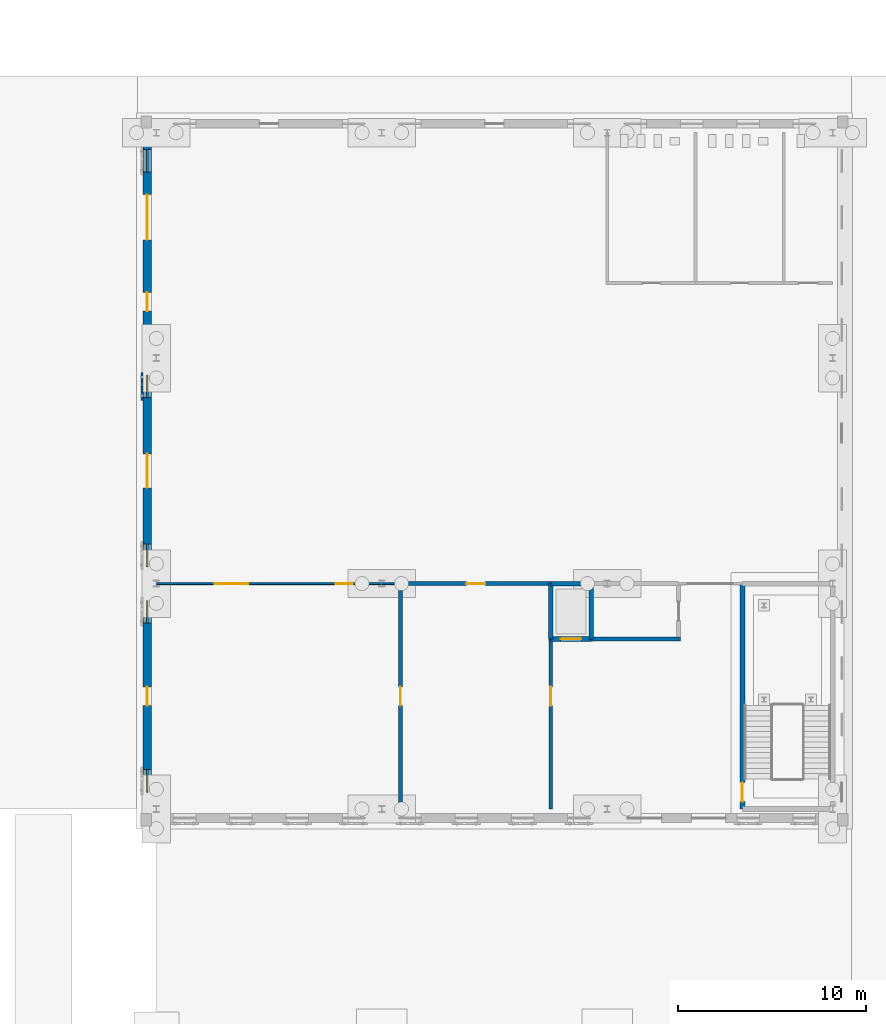
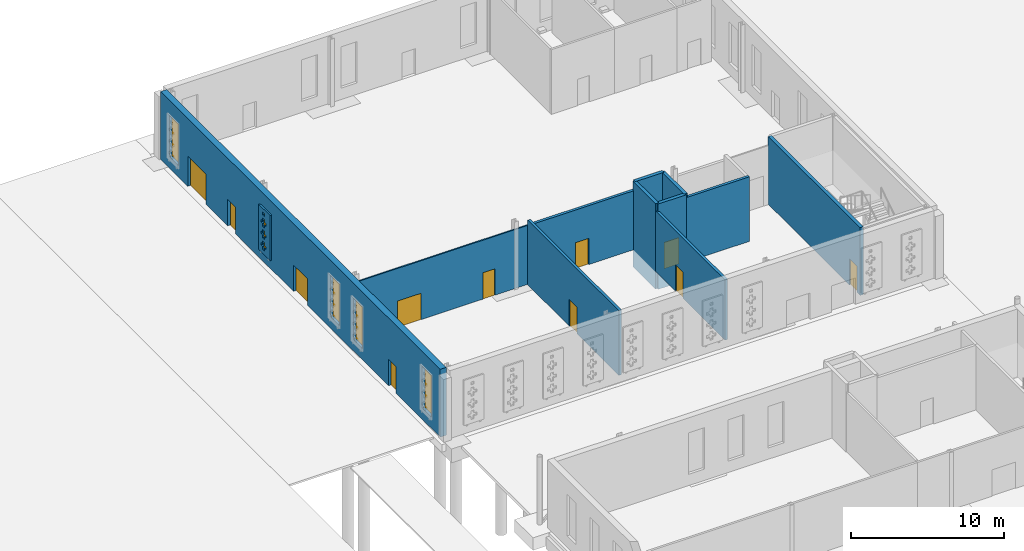
# One storey, part 86 of 132: 12 walls, 11 doors, 5 windows, 32 openings.
"""IFC4 building model written with IfcOpenShell, lengths in metres."""

from ifc_helpers import new_model, si_unit, direction, frame, frame_2d, origin, place, context, subcontext, project, spatial, rectangle, extrude, material, layer, layer_set, type_object, element, fill, save


model = new_model("IFC4")

# Units and contexts
model_context = context("Model", 3, precision=1e-05, world=origin(), true_north=direction((0.0, 1.0)))
body_context = subcontext(model_context, "Body", "Model", "MODEL_VIEW")
ifc_project = project(units=[si_unit("LENGTHUNIT", "METRE"), si_unit("AREAUNIT", "SQUARE_METRE"), si_unit("VOLUMEUNIT", "CUBIC_METRE"), si_unit("PLANEANGLEUNIT", "RADIAN"), si_unit("MASSUNIT", "GRAM", prefix="KILO")], contexts=[model_context])

# Site, building, storey
site_placement = place(None, origin())
site = spatial("IfcSite", under=ifc_project, at=site_placement, CompositionType="ELEMENT")
building_placement = place(site_placement, origin())
building = spatial("IfcBuilding", under=site, at=building_placement, Name="Ravi Spectrum Wholesale Market", CompositionType="ELEMENT")
storey_placement = place(building_placement, origin())
storey = spatial("IfcBuildingStorey", under=building, at=storey_placement, Name="L00", CompositionType="ELEMENT", Elevation=0.0)

# Wall
ifc_material_1 = material(Name="Concrete blockwork", Category="masonry")
ifc_layer_1 = layer(ifc_material_1, 0.199951171875)
ifc_layer_set_1 = layer_set([ifc_layer_1], Name="Concrete blockwork")
wall_type_1 = type_object("IfcWallType", Name="Blockwork partition 200 fire", PredefinedType="PARTITIONING", material=ifc_layer_set_1)
wall_1_placement = place(storey_placement, frame((185.14990234375, 207.050048828125, 0.0), z_axis=(0.0, 0.0, 1.0), x_axis=(1.0, 0.0, 0.0)))
element("IfcWall", 1, at=wall_1_placement, inside=storey, type_object=wall_type_1, Name="AU-WL-L00-028", PredefinedType="PARTITIONING", context=body_context, shape_type="SweptSolid", body=[
    extrude(rectangle(XDim=4.75, YDim=0.199951171875, at=frame_2d((2.375, 0.0))), origin(), (0.0, 0.0, 1.0), 5.14990234375),
])

# Wall, opening, door
wall_2_placement = place(storey_placement, frame((175.0, 210.0, 0.0), z_axis=(0.0, 0.0, 1.0), x_axis=(1.0, 0.0, 0.0)))
wall_2 = element("IfcWall", 2, at=wall_2_placement, inside=storey, type_object=wall_type_1, Name="AU-WL-L00-030", PredefinedType="PARTITIONING", context=body_context, shape_type="SweptSolid", body=[
    extrude(rectangle(XDim=8.0, YDim=0.199951171875, at=frame_2d((4.0, 0.0))), origin(), (0.0, 0.0, 1.0), 4.699951171875),
])
opening_1_placement = place(wall_2_placement, frame((3.5, 0.0, 0.0)))
opening_1 = element("IfcOpeningElement", 3, at=opening_1_placement, cuts=wall_2, Name="Opening D406", PredefinedType="OPENING", context=body_context, shape_type="SweptSolid", body=[
    extrude(rectangle(XDim=1.0, YDim=2.10009765625, at=frame_2d((0.5, 1.050048828125))), frame((0.0, 0.10986328125, 0.0), z_axis=(0.0, -1.0, 0.0), x_axis=(1.0, 0.0, 0.0)), (0.0, 0.0, 1.0), 0.219970703125),
])
ifc_material_2 = material(Name="Steel door", Category="steel")
door_type_1 = type_object("IfcDoorType", Name="Lobby door 1000 x 2100", OperationType="SINGLE_SWING_LEFT", PredefinedType="DOOR", material=ifc_material_2)
door_1_placement = place(opening_1_placement, origin())
door_1 = element("IfcDoor", 4, at=door_1_placement, inside=storey, type_object=door_type_1, Name="Door D406", OperationType="SINGLE_SWING_RIGHT", OverallHeight=2.10009765625, OverallWidth=1.0, PredefinedType="DOOR", context=body_context, shape_type="SweptSolid", body=[
    extrude(rectangle(XDim=1.0, YDim=2.10009765625, at=frame_2d((0.5, 1.050048828125))), frame((0.0, 0.02490234375, 0.0), z_axis=(0.0, -1.0, 0.0), x_axis=(1.0, 0.0, 0.0)), (0.0, 0.0, 1.0), 0.050048828125),
])
fill(opening_1, door_1)

wall_3_placement = place(storey_placement, frame((175.0, 198.0, 0.0), z_axis=(0.0, 0.0, 1.0), x_axis=(0.0, 1.0, 0.0)))
wall_3 = element("IfcWall", 5, at=wall_3_placement, inside=storey, type_object=wall_type_1, Name="AU-WL-L00-036", PredefinedType="PARTITIONING", context=body_context, shape_type="SweptSolid", body=[
    extrude(rectangle(XDim=11.89990234375, YDim=0.199951171875, at=frame_2d((5.949951171875, 0.0))), origin(), (0.0, 0.0, 1.0), 5.14990234375),
])
opening_2_placement = place(wall_3_placement, frame((5.5, 0.0, 0.0)))
opening_2 = element("IfcOpeningElement", 6, at=opening_2_placement, cuts=wall_3, Name="Opening D408", PredefinedType="OPENING", context=body_context, shape_type="SweptSolid", body=[
    extrude(rectangle(XDim=1.0, YDim=2.10009765625, at=frame_2d((0.5, 1.050048828125))), frame((0.0, 0.10986328125, 0.0), z_axis=(0.0, -1.0, 0.0), x_axis=(1.0, 0.0, 0.0)), (0.0, 0.0, 1.0), 0.219970703125),
])
door_2_placement = place(opening_2_placement, origin())
door_2 = element("IfcDoor", 7, at=door_2_placement, inside=storey, type_object=door_type_1, Name="Door D408", OperationType="SINGLE_SWING_LEFT", OverallHeight=2.10009765625, OverallWidth=1.0, PredefinedType="DOOR", context=body_context, shape_type="SweptSolid", body=[
    extrude(rectangle(XDim=1.0, YDim=2.10009765625, at=frame_2d((0.5, 1.050048828125))), frame((0.0, 0.02490234375, 0.0), z_axis=(0.0, -1.0, 0.0), x_axis=(1.0, 0.0, 0.0)), (0.0, 0.0, 1.0), 0.050048828125),
])
fill(opening_2, door_2)

wall_4_placement = place(storey_placement, frame((183.0, 198.0, 0.0), z_axis=(0.0, 0.0, 1.0), x_axis=(0.0, 1.0, 0.0)))
wall_4 = element("IfcWall", 8, at=wall_4_placement, inside=storey, type_object=wall_type_1, Name="AU-WL-L00-037", PredefinedType="PARTITIONING", context=body_context, shape_type="SweptSolid", body=[
    extrude(rectangle(XDim=9.050048828125, YDim=0.199951171875, at=frame_2d((4.52490234375, 0.0))), origin(), (0.0, 0.0, 1.0), 4.800048828125),
])
opening_3_placement = place(wall_4_placement, frame((5.5, 0.0, 0.0)))
opening_3 = element("IfcOpeningElement", 9, at=opening_3_placement, cuts=wall_4, Name="Opening D407", PredefinedType="OPENING", context=body_context, shape_type="SweptSolid", body=[
    extrude(rectangle(XDim=1.0, YDim=2.10009765625, at=frame_2d((0.5, 1.050048828125))), frame((0.0, 0.10986328125, 0.0), z_axis=(0.0, -1.0, 0.0), x_axis=(1.0, 0.0, 0.0)), (0.0, 0.0, 1.0), 0.219970703125),
])
door_3_placement = place(opening_3_placement, origin())
door_3 = element("IfcDoor", 10, at=door_3_placement, inside=storey, type_object=door_type_1, Name="Door D407", OperationType="SINGLE_SWING_RIGHT", OverallHeight=2.10009765625, OverallWidth=1.0, PredefinedType="DOOR", context=body_context, shape_type="SweptSolid", body=[
    extrude(rectangle(XDim=1.0, YDim=2.10009765625, at=frame_2d((0.5, 1.050048828125))), frame((0.0, 0.02490234375, 0.0), z_axis=(0.0, -1.0, 0.0), x_axis=(1.0, 0.0, 0.0)), (0.0, 0.0, 1.0), 0.050048828125),
])
fill(opening_3, door_3)

# Wall, openings, doors, windows
ifc_material_3 = material(Name="Clinker brickwork", Category="masonry")
ifc_layer_2 = layer(ifc_material_3, 0.4599609375)
ifc_layer_set_2 = layer_set([ifc_layer_2], Name="Clinker brickwork")
wall_type_2 = type_object("IfcWallType", Name="Brick 460 pier wall", PredefinedType="SOLIDWALL", material=ifc_layer_set_2)
wall_5_placement = place(storey_placement, frame((161.52001953125, 234.25, 0.0), z_axis=(0.0, 0.0, 1.0), x_axis=(0.0, -1.0, 0.0)))
wall_5 = element("IfcWall", 11, at=wall_5_placement, inside=storey, type_object=wall_type_2, Name="AU-WL-L00-022", PredefinedType="SOLIDWALL", context=body_context, shape_type="SweptSolid", body=[
    extrude(rectangle(XDim=36.5, YDim=0.4599609375, at=frame_2d((18.25, 0.0))), origin(), (0.0, 0.0, 1.0), 5.39990234375),
])
opening_4_placement = place(wall_5_placement, frame((3.550048828125, 0.0, 0.0)))
opening_4 = element("IfcOpeningElement", 12, at=opening_4_placement, cuts=wall_5, Name="Opening D415", PredefinedType="OPENING", context=body_context, shape_type="SweptSolid", body=[
    extrude(rectangle(XDim=2.39990234375, YDim=2.39990234375, at=frame_2d((1.199951171875, 1.199951171875))), frame((0.0, 0.239990234375, 0.0), z_axis=(0.0, -1.0, 0.0), x_axis=(1.0, 0.0, 0.0)), (0.0, 0.0, 1.0), 0.47998046875),
])
opening_5_placement = place(wall_5_placement, frame((9.75, 0.0, 0.0), z_axis=(0.0, 0.0, 1.0), x_axis=(-1.0, 0.0, 0.0)))
opening_5 = element("IfcOpeningElement", 13, at=opening_5_placement, cuts=wall_5, Name="Opening D416", PredefinedType="OPENING", context=body_context, shape_type="SweptSolid", body=[
    extrude(rectangle(XDim=1.0, YDim=2.10009765625, at=frame_2d((0.5, 1.050048828125))), frame((0.0, 0.239990234375, 0.0), z_axis=(0.0, -1.0, 0.0), x_axis=(1.0, 0.0, 0.0)), (0.0, 0.0, 1.0), 0.47998046875),
])
opening_6_placement = place(wall_5_placement, frame((19.150146484375, 0.0, 0.0), z_axis=(0.0, 0.0, 1.0), x_axis=(-1.0, 0.0, 0.0)))
opening_6 = element("IfcOpeningElement", 14, at=opening_6_placement, cuts=wall_5, Name="Opening D419", PredefinedType="OPENING", context=body_context, shape_type="SweptSolid", body=[
    extrude(rectangle(XDim=1.800048828125, YDim=2.10009765625, at=frame_2d((0.89990234375, 1.050048828125))), frame((0.0, 0.239990234375, 0.0), z_axis=(0.0, -1.0, 0.0), x_axis=(1.0, 0.0, 0.0)), (0.0, 0.0, 1.0), 0.47998046875),
])
opening_7_placement = place(wall_5_placement, frame((30.75, 0.0, 0.0), z_axis=(0.0, 0.0, 1.0), x_axis=(-1.0, 0.0, 0.0)))
opening_7 = element("IfcOpeningElement", 15, at=opening_7_placement, cuts=wall_5, Name="Opening D403", PredefinedType="OPENING", context=body_context, shape_type="SweptSolid", body=[
    extrude(rectangle(XDim=1.0, YDim=2.10009765625, at=frame_2d((0.5, 1.050048828125))), frame((0.0, 0.239990234375, 0.0), z_axis=(0.0, -1.0, 0.0), x_axis=(1.0, 0.0, 0.0)), (0.0, 0.0, 1.0), 0.47998046875),
])
opening_8_placement = place(wall_5_placement, frame((1.14990234375, 0.0, 0.89990234375)))
opening_8 = element("IfcOpeningElement", 16, at=opening_8_placement, cuts=wall_5, Name="Opening W2428", PredefinedType="OPENING", context=body_context, shape_type="SweptSolid", body=[
    extrude(rectangle(XDim=1.199951171875, YDim=3.300048828125, at=frame_2d((0.60009765625, 1.64990234375))), frame((0.0, 0.239990234375, 0.0), z_axis=(0.0, -1.0, 0.0), x_axis=(1.0, 0.0, 0.0)), (0.0, 0.0, 1.0), 0.47998046875),
])
opening_9_placement = place(wall_5_placement, frame((13.14990234375, 0.0, 0.89990234375)))
opening_9 = element("IfcOpeningElement", 17, at=opening_9_placement, cuts=wall_5, Name="Opening W2429", PredefinedType="OPENING", context=body_context, shape_type="SweptSolid", body=[
    extrude(rectangle(XDim=1.199951171875, YDim=3.300048828125, at=frame_2d((0.60009765625, 1.64990234375))), frame((0.0, 0.239990234375, 0.0), z_axis=(0.0, -1.0, 0.0), x_axis=(1.0, 0.0, 0.0)), (0.0, 0.0, 1.0), 0.47998046875),
])
opening_10_placement = place(wall_5_placement, frame((22.14990234375, 0.0, 0.89990234375)))
opening_10 = element("IfcOpeningElement", 18, at=opening_10_placement, cuts=wall_5, Name="Opening W2430", PredefinedType="OPENING", context=body_context, shape_type="SweptSolid", body=[
    extrude(rectangle(XDim=1.199951171875, YDim=3.300048828125, at=frame_2d((0.60009765625, 1.64990234375))), frame((0.0, 0.239990234375, 0.0), z_axis=(0.0, -1.0, 0.0), x_axis=(1.0, 0.0, 0.0)), (0.0, 0.0, 1.0), 0.47998046875),
])
opening_11_placement = place(wall_5_placement, frame((25.14990234375, 0.0, 0.89990234375)))
opening_11 = element("IfcOpeningElement", 19, at=opening_11_placement, cuts=wall_5, Name="Opening W2431", PredefinedType="OPENING", context=body_context, shape_type="SweptSolid", body=[
    extrude(rectangle(XDim=1.199951171875, YDim=3.300048828125, at=frame_2d((0.60009765625, 1.64990234375))), frame((0.0, 0.239990234375, 0.0), z_axis=(0.0, -1.0, 0.0), x_axis=(1.0, 0.0, 0.0)), (0.0, 0.0, 1.0), 0.47998046875),
])
opening_12_placement = place(wall_5_placement, frame((34.14990234375, 0.0, 0.89990234375)))
opening_12 = element("IfcOpeningElement", 20, at=opening_12_placement, cuts=wall_5, Name="Opening W2432", PredefinedType="OPENING", context=body_context, shape_type="SweptSolid", body=[
    extrude(rectangle(XDim=1.199951171875, YDim=3.300048828125, at=frame_2d((0.60009765625, 1.64990234375))), frame((0.0, 0.239990234375, 0.0), z_axis=(0.0, -1.0, 0.0), x_axis=(1.0, 0.0, 0.0)), (0.0, 0.0, 1.0), 0.47998046875),
])
ifc_material_4 = material(Name="Steel door", Category="steel")
door_type_2 = type_object("IfcDoorType", Name="Double leaf door 1800 x 2100", OperationType="DOUBLE_DOOR_SINGLE_SWING", PredefinedType="DOOR", material=ifc_material_4)
door_4_placement = place(opening_6_placement, origin())
door_4 = element("IfcDoor", 21, at=door_4_placement, inside=storey, type_object=door_type_2, Name="Door D419", OperationType="DOUBLE_DOOR_SINGLE_SWING", OverallHeight=2.10009765625, OverallWidth=1.800048828125, PredefinedType="DOOR", context=body_context, shape_type="SweptSolid", body=[
    extrude(rectangle(XDim=1.800048828125, YDim=2.10009765625, at=frame_2d((0.89990234375, 1.050048828125))), frame((0.0, 0.02490234375, 0.0), z_axis=(0.0, -1.0, 0.0), x_axis=(1.0, 0.0, 0.0)), (0.0, 0.0, 1.0), 0.050048828125),
])
fill(opening_6, door_4)
ifc_material_5 = material(Name="Aluminium glazed door", Category="aluminium")
door_type_3 = type_object("IfcDoorType", Name="Hall entrance sliding door 2400 x 2400", OperationType="SLIDING_TO_LEFT", PredefinedType="DOOR", material=ifc_material_5)
door_5_placement = place(opening_4_placement, origin())
door_5 = element("IfcDoor", 22, at=door_5_placement, inside=storey, type_object=door_type_3, Name="Door D415", OperationType="SLIDING_TO_LEFT", OverallHeight=2.39990234375, OverallWidth=2.39990234375, PredefinedType="DOOR", context=body_context, shape_type="SweptSolid", body=[
    extrude(rectangle(XDim=2.39990234375, YDim=2.39990234375, at=frame_2d((1.199951171875, 1.199951171875))), frame((0.0, 0.02490234375, 0.0), z_axis=(0.0, -1.0, 0.0), x_axis=(1.0, 0.0, 0.0)), (0.0, 0.0, 1.0), 0.050048828125),
])
fill(opening_4, door_5)
ifc_material_6 = material(Name="Steel door", Category="steel")
door_type_4 = type_object("IfcDoorType", Name="Pedestrian exit door 1000 x 2100", OperationType="SINGLE_SWING_LEFT", PredefinedType="DOOR", material=ifc_material_6)
door_6_placement = place(opening_5_placement, origin())
door_6 = element("IfcDoor", 23, at=door_6_placement, inside=storey, type_object=door_type_4, Name="Door D416", OperationType="SINGLE_SWING_RIGHT", OverallHeight=2.10009765625, OverallWidth=1.0, PredefinedType="DOOR", context=body_context, shape_type="SweptSolid", body=[
    extrude(rectangle(XDim=1.0, YDim=2.10009765625, at=frame_2d((0.5, 1.050048828125))), frame((0.0, 0.02490234375, 0.0), z_axis=(0.0, -1.0, 0.0), x_axis=(1.0, 0.0, 0.0)), (0.0, 0.0, 1.0), 0.050048828125),
])
fill(opening_5, door_6)
door_7_placement = place(opening_7_placement, origin())
door_7 = element("IfcDoor", 24, at=door_7_placement, inside=storey, type_object=door_type_4, Name="Door D403", OperationType="SINGLE_SWING_RIGHT", OverallHeight=2.10009765625, OverallWidth=1.0, PredefinedType="DOOR", context=body_context, shape_type="SweptSolid", body=[
    extrude(rectangle(XDim=1.0, YDim=2.10009765625, at=frame_2d((0.5, 1.050048828125))), frame((0.0, 0.02490234375, 0.0), z_axis=(0.0, -1.0, 0.0), x_axis=(1.0, 0.0, 0.0)), (0.0, 0.0, 1.0), 0.050048828125),
])
fill(opening_7, door_7)
ifc_material_7 = material(Name="Steel window frame", Category="steel")
window_type = type_object("IfcWindowType", Name="Tall pier window with jali 1200 x 3300", PartitioningType="SINGLE_PANEL", PredefinedType="WINDOW", material=ifc_material_7)
window_1_placement = place(opening_8_placement, origin())
window_1 = element("IfcWindow", 25, at=window_1_placement, inside=storey, type_object=window_type, Name="Window W2428", OverallHeight=3.300048828125, OverallWidth=1.199951171875, PartitioningType="SINGLE_PANEL", PredefinedType="WINDOW", context=body_context, shape_type="SweptSolid", body=[
    extrude(rectangle(XDim=1.199951171875, YDim=3.300048828125, at=frame_2d((0.60009765625, 1.64990234375))), frame((0.0, 0.030029296875, 0.0), z_axis=(0.0, -1.0, 0.0), x_axis=(1.0, 0.0, 0.0)), (0.0, 0.0, 1.0), 0.06005859375),
])
fill(opening_8, window_1)
window_2_placement = place(opening_9_placement, origin())
window_2 = element("IfcWindow", 26, at=window_2_placement, inside=storey, type_object=window_type, Name="Window W2429", OverallHeight=3.300048828125, OverallWidth=1.199951171875, PartitioningType="SINGLE_PANEL", PredefinedType="WINDOW", context=body_context, shape_type="SweptSolid", body=[
    extrude(rectangle(XDim=1.199951171875, YDim=3.300048828125, at=frame_2d((0.60009765625, 1.64990234375))), frame((0.0, 0.030029296875, 0.0), z_axis=(0.0, -1.0, 0.0), x_axis=(1.0, 0.0, 0.0)), (0.0, 0.0, 1.0), 0.06005859375),
])
fill(opening_9, window_2)
window_3_placement = place(opening_10_placement, origin())
window_3 = element("IfcWindow", 27, at=window_3_placement, inside=storey, type_object=window_type, Name="Window W2430", OverallHeight=3.300048828125, OverallWidth=1.199951171875, PartitioningType="SINGLE_PANEL", PredefinedType="WINDOW", context=body_context, shape_type="SweptSolid", body=[
    extrude(rectangle(XDim=1.199951171875, YDim=3.300048828125, at=frame_2d((0.60009765625, 1.64990234375))), frame((0.0, 0.030029296875, 0.0), z_axis=(0.0, -1.0, 0.0), x_axis=(1.0, 0.0, 0.0)), (0.0, 0.0, 1.0), 0.06005859375),
])
fill(opening_10, window_3)
window_4_placement = place(opening_11_placement, origin())
window_4 = element("IfcWindow", 28, at=window_4_placement, inside=storey, type_object=window_type, Name="Window W2431", OverallHeight=3.300048828125, OverallWidth=1.199951171875, PartitioningType="SINGLE_PANEL", PredefinedType="WINDOW", context=body_context, shape_type="SweptSolid", body=[
    extrude(rectangle(XDim=1.199951171875, YDim=3.300048828125, at=frame_2d((0.60009765625, 1.64990234375))), frame((0.0, 0.030029296875, 0.0), z_axis=(0.0, -1.0, 0.0), x_axis=(1.0, 0.0, 0.0)), (0.0, 0.0, 1.0), 0.06005859375),
])
fill(opening_11, window_4)
window_5_placement = place(opening_12_placement, origin())
window_5 = element("IfcWindow", 29, at=window_5_placement, inside=storey, type_object=window_type, Name="Window W2432", OverallHeight=3.300048828125, OverallWidth=1.199951171875, PartitioningType="SINGLE_PANEL", PredefinedType="WINDOW", context=body_context, shape_type="SweptSolid", body=[
    extrude(rectangle(XDim=1.199951171875, YDim=3.300048828125, at=frame_2d((0.60009765625, 1.64990234375))), frame((0.0, 0.030029296875, 0.0), z_axis=(0.0, -1.0, 0.0), x_axis=(1.0, 0.0, 0.0)), (0.0, 0.0, 1.0), 0.06005859375),
])
fill(opening_12, window_5)

# Wall, opening, door
ifc_material_8 = material(Name="Concrete C35/45", Category="concrete")
ifc_layer_3 = layer(ifc_material_8, 0.25)
ifc_layer_set_3 = layer_set([ifc_layer_3], Name="Concrete C35/45")
wall_type_3 = type_object("IfcWallType", Name="Concrete core wall 250", PredefinedType="SHEAR", material=ifc_layer_set_3)
wall_6_placement = place(storey_placement, frame((193.199951171875, 198.0, 0.0), z_axis=(0.0, 0.0, 1.0), x_axis=(0.0, 1.0, 0.0)))
wall_6 = element("IfcWall", 30, at=wall_6_placement, inside=storey, type_object=wall_type_3, Name="Stair core wall Stair S-AU-1", PredefinedType="SHEAR", context=body_context, shape_type="SweptSolid", body=[
    extrude(rectangle(XDim=12.0, YDim=0.25, at=frame_2d((6.0, 0.0))), origin(), (0.0, 0.0, 1.0), 5.39990234375),
])
opening_13_placement = place(wall_6_placement, frame((0.39990234375, 0.0, 0.0)))
opening_13 = element("IfcOpeningElement", 31, at=opening_13_placement, cuts=wall_6, Name="Opening D413", PredefinedType="OPENING", context=body_context, shape_type="SweptSolid", body=[
    extrude(rectangle(XDim=1.0, YDim=2.10009765625, at=frame_2d((0.5, 1.050048828125))), frame((0.0, 0.135009765625, 0.0), z_axis=(0.0, -1.0, 0.0), x_axis=(1.0, 0.0, 0.0)), (0.0, 0.0, 1.0), 0.27001953125),
])
ifc_material_9 = material(Name="Steel door", Category="steel")
door_type_5 = type_object("IfcDoorType", Name="Stair door 1000 x 2100", OperationType="SINGLE_SWING_LEFT", PredefinedType="DOOR", material=ifc_material_9)
door_8_placement = place(opening_13_placement, origin())
door_8 = element("IfcDoor", 32, at=door_8_placement, inside=storey, type_object=door_type_5, Name="Door D413", OperationType="SINGLE_SWING_LEFT", OverallHeight=2.10009765625, OverallWidth=1.0, PredefinedType="DOOR", context=body_context, shape_type="SweptSolid", body=[
    extrude(rectangle(XDim=1.0, YDim=2.10009765625, at=frame_2d((0.5, 1.050048828125))), frame((0.0, 0.02490234375, 0.0), z_axis=(0.0, -1.0, 0.0), x_axis=(1.0, 0.0, 0.0)), (0.0, 0.0, 1.0), 0.050048828125),
])
fill(opening_13, door_8)

# Wall, openings, doors
ifc_material_10 = material(Name="Gypsum board partition")
ifc_layer_4 = layer(ifc_material_10, 0.10009765625)
ifc_layer_set_4 = layer_set([ifc_layer_4], Name="Gypsum board partition")
wall_type_4 = type_object("IfcWallType", Name="Drywall partition 100", PredefinedType="PARTITIONING", material=ifc_layer_set_4)
wall_7_placement = place(storey_placement, frame((162.0, 210.0, 0.0), z_axis=(0.0, 0.0, 1.0), x_axis=(1.0, 0.0, 0.0)))
wall_7 = element("IfcWall", 33, at=wall_7_placement, inside=storey, type_object=wall_type_4, Name="AU-WL-L00-029", PredefinedType="PARTITIONING", context=body_context, shape_type="SweptSolid", body=[
    extrude(rectangle(XDim=13.0, YDim=0.10009765625, at=frame_2d((6.5, 0.0))), origin(), (0.0, 0.0, 1.0), 4.699951171875),
])
opening_14_placement = place(wall_7_placement, frame((3.10009765625, 0.0, 0.0)))
opening_14 = element("IfcOpeningElement", 34, at=opening_14_placement, cuts=wall_7, Name="Opening D404", PredefinedType="OPENING", context=body_context, shape_type="SweptSolid", body=[
    extrude(rectangle(XDim=1.800048828125, YDim=2.10009765625, at=frame_2d((0.89990234375, 1.050048828125))), frame((0.0, 0.06005859375, 0.0), z_axis=(0.0, -1.0, 0.0), x_axis=(1.0, 0.0, 0.0)), (0.0, 0.0, 1.0), 0.1201171875),
])
opening_15_placement = place(wall_7_placement, frame((9.550048828125, 0.0, 0.0)))
opening_15 = element("IfcOpeningElement", 35, at=opening_15_placement, cuts=wall_7, Name="Opening D405", PredefinedType="OPENING", context=body_context, shape_type="SweptSolid", body=[
    extrude(rectangle(XDim=0.89990234375, YDim=2.10009765625, at=frame_2d((0.449951171875, 1.050048828125))), frame((0.0, 0.06005859375, 0.0), z_axis=(0.0, -1.0, 0.0), x_axis=(1.0, 0.0, 0.0)), (0.0, 0.0, 1.0), 0.1201171875),
])
door_9_placement = place(opening_14_placement, origin())
door_9 = element("IfcDoor", 36, at=door_9_placement, inside=storey, type_object=door_type_2, Name="Door D404", OperationType="DOUBLE_DOOR_SINGLE_SWING", OverallHeight=2.10009765625, OverallWidth=1.800048828125, PredefinedType="DOOR", context=body_context, shape_type="SweptSolid", body=[
    extrude(rectangle(XDim=1.800048828125, YDim=2.10009765625, at=frame_2d((0.89990234375, 1.050048828125))), frame((0.0, 0.02490234375, 0.0), z_axis=(0.0, -1.0, 0.0), x_axis=(1.0, 0.0, 0.0)), (0.0, 0.0, 1.0), 0.050048828125),
])
fill(opening_14, door_9)
ifc_material_11 = material(Name="Timber door", Category="wood")
door_type_6 = type_object("IfcDoorType", Name="Office door 900 x 2100", OperationType="SINGLE_SWING_LEFT", PredefinedType="DOOR", material=ifc_material_11)
door_10_placement = place(opening_15_placement, origin())
door_10 = element("IfcDoor", 37, at=door_10_placement, inside=storey, type_object=door_type_6, Name="Door D405", OperationType="SINGLE_SWING_RIGHT", OverallHeight=2.10009765625, OverallWidth=0.89990234375, PredefinedType="DOOR", context=body_context, shape_type="SweptSolid", body=[
    extrude(rectangle(XDim=0.89990234375, YDim=2.10009765625, at=frame_2d((0.449951171875, 1.050048828125))), frame((0.0, 0.02490234375, 0.0), z_axis=(0.0, -1.0, 0.0), x_axis=(1.0, 0.0, 0.0)), (0.0, 0.0, 1.0), 0.050048828125),
])
fill(opening_15, door_10)

# Wall, openings
ifc_material_12 = material(Name="Facing brickwork", Category="masonry")
ifc_layer_5 = layer(ifc_material_12, 0.114990234375)
ifc_layer_set_5 = layer_set([ifc_layer_5], Name="Facing brickwork")
wall_type_5 = type_object("IfcWallType", Name="Perforated brick screen 115", PredefinedType="SOLIDWALL", material=ifc_layer_set_5)
wall_8_placement = place(storey_placement, frame((161.232421875, 221.25, 0.75), z_axis=(0.0, 0.0, 1.0), x_axis=(0.0, -1.0, 0.0)))
wall_8 = element("IfcWall", 38, at=wall_8_placement, inside=storey, type_object=wall_type_5, Name="AU-WL-L00-024", PredefinedType="SOLIDWALL", context=body_context, shape_type="SweptSolid", body=[
    extrude(rectangle(XDim=1.5, YDim=0.114990234375, at=frame_2d((0.75, 0.0))), origin(), (0.0, 0.0, 1.0), 3.60009765625),
])
opening_16_placement = place(wall_8_placement, frame((0.52001953125, 0.0, 0.304931640625)))
element("IfcOpeningElement", 39, at=opening_16_placement, cuts=wall_8, Name="Opening AU-OP-L00-177", PredefinedType="OPENING", context=body_context, shape_type="SweptSolid", body=[
    extrude(rectangle(XDim=0.22998046875, YDim=0.22998046875, at=frame_2d((0.114990234375, 0.114990234375))), frame((0.0, 0.0673828125, 0.0), z_axis=(0.0, -1.0, 0.0), x_axis=(1.0, 0.0, 0.0)), (0.0, 0.0, 1.0), 0.135009765625),
])
opening_17_placement = place(wall_8_placement, frame((0.2900390625, 0.0, 0.534912109375)))
element("IfcOpeningElement", 40, at=opening_17_placement, cuts=wall_8, Name="Opening AU-OP-L00-178", PredefinedType="OPENING", context=body_context, shape_type="SweptSolid", body=[
    extrude(rectangle(XDim=0.22998046875, YDim=0.22998046875, at=frame_2d((0.114990234375, 0.114990234375))), frame((0.0, 0.0673828125, 0.0), z_axis=(0.0, -1.0, 0.0), x_axis=(1.0, 0.0, 0.0)), (0.0, 0.0, 1.0), 0.135009765625),
])
opening_18_placement = place(wall_8_placement, frame((0.52001953125, 0.0, 0.534912109375)))
element("IfcOpeningElement", 41, at=opening_18_placement, cuts=wall_8, Name="Opening AU-OP-L00-179", PredefinedType="OPENING", context=body_context, shape_type="SweptSolid", body=[
    extrude(rectangle(XDim=0.22998046875, YDim=0.22998046875, at=frame_2d((0.114990234375, 0.114990234375))), frame((0.0, 0.0673828125, 0.0), z_axis=(0.0, -1.0, 0.0), x_axis=(1.0, 0.0, 0.0)), (0.0, 0.0, 1.0), 0.135009765625),
])
opening_19_placement = place(wall_8_placement, frame((0.75, 0.0, 0.534912109375)))
element("IfcOpeningElement", 42, at=opening_19_placement, cuts=wall_8, Name="Opening AU-OP-L00-180", PredefinedType="OPENING", context=body_context, shape_type="SweptSolid", body=[
    extrude(rectangle(XDim=0.22998046875, YDim=0.22998046875, at=frame_2d((0.114990234375, 0.114990234375))), frame((0.0, 0.0673828125, 0.0), z_axis=(0.0, -1.0, 0.0), x_axis=(1.0, 0.0, 0.0)), (0.0, 0.0, 1.0), 0.135009765625),
])
opening_20_placement = place(wall_8_placement, frame((0.52001953125, 0.0, 0.764892578125)))
element("IfcOpeningElement", 43, at=opening_20_placement, cuts=wall_8, Name="Opening AU-OP-L00-181", PredefinedType="OPENING", context=body_context, shape_type="SweptSolid", body=[
    extrude(rectangle(XDim=0.22998046875, YDim=0.22998046875, at=frame_2d((0.114990234375, 0.114990234375))), frame((0.0, 0.0673828125, 0.0), z_axis=(0.0, -1.0, 0.0), x_axis=(1.0, 0.0, 0.0)), (0.0, 0.0, 1.0), 0.135009765625),
])
opening_21_placement = place(wall_8_placement, frame((0.52001953125, 0.0, 1.22509765625)))
element("IfcOpeningElement", 44, at=opening_21_placement, cuts=wall_8, Name="Opening AU-OP-L00-182", PredefinedType="OPENING", context=body_context, shape_type="SweptSolid", body=[
    extrude(rectangle(XDim=0.22998046875, YDim=0.22998046875, at=frame_2d((0.114990234375, 0.114990234375))), frame((0.0, 0.0673828125, 0.0), z_axis=(0.0, -1.0, 0.0), x_axis=(1.0, 0.0, 0.0)), (0.0, 0.0, 1.0), 0.135009765625),
])
opening_22_placement = place(wall_8_placement, frame((0.2900390625, 0.0, 1.455078125)))
element("IfcOpeningElement", 45, at=opening_22_placement, cuts=wall_8, Name="Opening AU-OP-L00-183", PredefinedType="OPENING", context=body_context, shape_type="SweptSolid", body=[
    extrude(rectangle(XDim=0.22998046875, YDim=0.22998046875, at=frame_2d((0.114990234375, 0.114990234375))), frame((0.0, 0.0673828125, 0.0), z_axis=(0.0, -1.0, 0.0), x_axis=(1.0, 0.0, 0.0)), (0.0, 0.0, 1.0), 0.135009765625),
])
opening_23_placement = place(wall_8_placement, frame((0.52001953125, 0.0, 1.455078125)))
element("IfcOpeningElement", 46, at=opening_23_placement, cuts=wall_8, Name="Opening AU-OP-L00-184", PredefinedType="OPENING", context=body_context, shape_type="SweptSolid", body=[
    extrude(rectangle(XDim=0.22998046875, YDim=0.22998046875, at=frame_2d((0.114990234375, 0.114990234375))), frame((0.0, 0.0673828125, 0.0), z_axis=(0.0, -1.0, 0.0), x_axis=(1.0, 0.0, 0.0)), (0.0, 0.0, 1.0), 0.135009765625),
])
opening_24_placement = place(wall_8_placement, frame((0.75, 0.0, 1.455078125)))
element("IfcOpeningElement", 47, at=opening_24_placement, cuts=wall_8, Name="Opening AU-OP-L00-185", PredefinedType="OPENING", context=body_context, shape_type="SweptSolid", body=[
    extrude(rectangle(XDim=0.22998046875, YDim=0.22998046875, at=frame_2d((0.114990234375, 0.114990234375))), frame((0.0, 0.0673828125, 0.0), z_axis=(0.0, -1.0, 0.0), x_axis=(1.0, 0.0, 0.0)), (0.0, 0.0, 1.0), 0.135009765625),
])
opening_25_placement = place(wall_8_placement, frame((0.52001953125, 0.0, 1.68505859375)))
element("IfcOpeningElement", 48, at=opening_25_placement, cuts=wall_8, Name="Opening AU-OP-L00-186", PredefinedType="OPENING", context=body_context, shape_type="SweptSolid", body=[
    extrude(rectangle(XDim=0.22998046875, YDim=0.22998046875, at=frame_2d((0.114990234375, 0.114990234375))), frame((0.0, 0.0673828125, 0.0), z_axis=(0.0, -1.0, 0.0), x_axis=(1.0, 0.0, 0.0)), (0.0, 0.0, 1.0), 0.135009765625),
])
opening_26_placement = place(wall_8_placement, frame((0.52001953125, 0.0, 2.14501953125)))
element("IfcOpeningElement", 49, at=opening_26_placement, cuts=wall_8, Name="Opening AU-OP-L00-187", PredefinedType="OPENING", context=body_context, shape_type="SweptSolid", body=[
    extrude(rectangle(XDim=0.22998046875, YDim=0.22998046875, at=frame_2d((0.114990234375, 0.114990234375))), frame((0.0, 0.0673828125, 0.0), z_axis=(0.0, -1.0, 0.0), x_axis=(1.0, 0.0, 0.0)), (0.0, 0.0, 1.0), 0.135009765625),
])
opening_27_placement = place(wall_8_placement, frame((0.2900390625, 0.0, 2.375)))
element("IfcOpeningElement", 50, at=opening_27_placement, cuts=wall_8, Name="Opening AU-OP-L00-188", PredefinedType="OPENING", context=body_context, shape_type="SweptSolid", body=[
    extrude(rectangle(XDim=0.22998046875, YDim=0.22998046875, at=frame_2d((0.114990234375, 0.114990234375))), frame((0.0, 0.0673828125, 0.0), z_axis=(0.0, -1.0, 0.0), x_axis=(1.0, 0.0, 0.0)), (0.0, 0.0, 1.0), 0.135009765625),
])
opening_28_placement = place(wall_8_placement, frame((0.52001953125, 0.0, 2.375)))
element("IfcOpeningElement", 51, at=opening_28_placement, cuts=wall_8, Name="Opening AU-OP-L00-189", PredefinedType="OPENING", context=body_context, shape_type="SweptSolid", body=[
    extrude(rectangle(XDim=0.22998046875, YDim=0.22998046875, at=frame_2d((0.114990234375, 0.114990234375))), frame((0.0, 0.0673828125, 0.0), z_axis=(0.0, -1.0, 0.0), x_axis=(1.0, 0.0, 0.0)), (0.0, 0.0, 1.0), 0.135009765625),
])
opening_29_placement = place(wall_8_placement, frame((0.75, 0.0, 2.375)))
element("IfcOpeningElement", 52, at=opening_29_placement, cuts=wall_8, Name="Opening AU-OP-L00-190", PredefinedType="OPENING", context=body_context, shape_type="SweptSolid", body=[
    extrude(rectangle(XDim=0.22998046875, YDim=0.22998046875, at=frame_2d((0.114990234375, 0.114990234375))), frame((0.0, 0.0673828125, 0.0), z_axis=(0.0, -1.0, 0.0), x_axis=(1.0, 0.0, 0.0)), (0.0, 0.0, 1.0), 0.135009765625),
])
opening_30_placement = place(wall_8_placement, frame((0.52001953125, 0.0, 2.60498046875)))
element("IfcOpeningElement", 53, at=opening_30_placement, cuts=wall_8, Name="Opening AU-OP-L00-191", PredefinedType="OPENING", context=body_context, shape_type="SweptSolid", body=[
    extrude(rectangle(XDim=0.22998046875, YDim=0.22998046875, at=frame_2d((0.114990234375, 0.114990234375))), frame((0.0, 0.0673828125, 0.0), z_axis=(0.0, -1.0, 0.0), x_axis=(1.0, 0.0, 0.0)), (0.0, 0.0, 1.0), 0.135009765625),
])
opening_31_placement = place(wall_8_placement, frame((0.52001953125, 0.0, 3.06494140625)))
element("IfcOpeningElement", 54, at=opening_31_placement, cuts=wall_8, Name="Opening AU-OP-L00-192", PredefinedType="OPENING", context=body_context, shape_type="SweptSolid", body=[
    extrude(rectangle(XDim=0.22998046875, YDim=0.22998046875, at=frame_2d((0.114990234375, 0.114990234375))), frame((0.0, 0.0673828125, 0.0), z_axis=(0.0, -1.0, 0.0), x_axis=(1.0, 0.0, 0.0)), (0.0, 0.0, 1.0), 0.135009765625),
])

# Walls
ifc_material_13 = material(Name="Concrete C35/45", Category="concrete")
ifc_layer_6 = layer(ifc_material_13, 0.25)
ifc_layer_set_6 = layer_set([ifc_layer_6], Name="Concrete C35/45")
wall_type_6 = type_object("IfcWallType", Name="Shaft wall 250", PredefinedType="SHEAR", material=ifc_layer_set_6)
wall_9_placement = place(storey_placement, frame((185.14990234375, 207.050048828125, -1.39990234375), z_axis=(0.0, 0.0, 1.0), x_axis=(0.0, 1.0, 0.0)))
element("IfcWall", 55, at=wall_9_placement, inside=storey, type_object=wall_type_6, Name="AU-WL-L00-LF-AU-1-E", PredefinedType="SHEAR", context=body_context, shape_type="SweptSolid", body=[
    extrude(rectangle(XDim=2.949951171875, YDim=0.25, at=frame_2d((1.47509765625, 0.0))), origin(), (0.0, 0.0, 1.0), 6.7998046875),
])
wall_10_placement = place(storey_placement, frame((185.14990234375, 210.0, -1.39990234375), z_axis=(0.0, 0.0, 1.0), x_axis=(-1.0, 0.0, 0.0)))
element("IfcWall", 56, at=wall_10_placement, inside=storey, type_object=wall_type_6, Name="AU-WL-L00-LF-AU-1-N", PredefinedType="SHEAR", context=body_context, shape_type="SweptSolid", body=[
    extrude(rectangle(XDim=2.14990234375, YDim=0.25, at=frame_2d((1.074951171875, 0.0))), origin(), (0.0, 0.0, 1.0), 6.7998046875),
])

# Wall, opening, door
wall_11_placement = place(storey_placement, frame((183.0, 207.050048828125, -1.39990234375), z_axis=(0.0, 0.0, 1.0), x_axis=(1.0, 0.0, 0.0)))
wall_11 = element("IfcWall", 57, at=wall_11_placement, inside=storey, type_object=wall_type_6, Name="AU-WL-L00-LF-AU-1-S", PredefinedType="SHEAR", context=body_context, shape_type="SweptSolid", body=[
    extrude(rectangle(XDim=2.14990234375, YDim=0.25, at=frame_2d((1.074951171875, 0.0))), origin(), (0.0, 0.0, 1.0), 6.7998046875),
])
opening_32_placement = place(wall_11_placement, frame((0.52490234375, 0.0, 1.39990234375)))
opening_32 = element("IfcOpeningElement", 58, at=opening_32_placement, cuts=wall_11, Name="Opening D427", PredefinedType="OPENING", context=body_context, shape_type="SweptSolid", body=[
    extrude(rectangle(XDim=1.10009765625, YDim=2.10009765625, at=frame_2d((0.550048828125, 1.050048828125))), frame((0.0, 0.135009765625, 0.0), z_axis=(0.0, -1.0, 0.0), x_axis=(1.0, 0.0, 0.0)), (0.0, 0.0, 1.0), 0.27001953125),
])
ifc_material_14 = material(Name="Stainless steel door", Category="steel")
door_type_7 = type_object("IfcDoorType", Name="Lift landing door 1100 x 2100", OperationType="SLIDING_TO_LEFT", PredefinedType="DOOR", material=ifc_material_14)
door_11_placement = place(opening_32_placement, origin())
door_11 = element("IfcDoor", 59, at=door_11_placement, inside=storey, type_object=door_type_7, Name="Landing door LF-AU-1 L00", OperationType="SLIDING_TO_LEFT", OverallHeight=2.10009765625, OverallWidth=1.10009765625, PredefinedType="DOOR", context=body_context, shape_type="SweptSolid", body=[
    extrude(rectangle(XDim=1.10009765625, YDim=2.10009765625, at=frame_2d((0.550048828125, 1.050048828125))), frame((0.0, 0.02490234375, 0.0), z_axis=(0.0, -1.0, 0.0), x_axis=(1.0, 0.0, 0.0)), (0.0, 0.0, 1.0), 0.050048828125),
])
fill(opening_32, door_11)

# Wall
wall_12_placement = place(storey_placement, frame((183.0, 210.0, -1.39990234375), z_axis=(0.0, 0.0, 1.0), x_axis=(0.0, -1.0, 0.0)))
element("IfcWall", 60, at=wall_12_placement, inside=storey, type_object=wall_type_6, Name="AU-WL-L00-LF-AU-1-W", PredefinedType="SHEAR", context=body_context, shape_type="SweptSolid", body=[
    extrude(rectangle(XDim=2.949951171875, YDim=0.25, at=frame_2d((1.47509765625, 0.0))), origin(), (0.0, 0.0, 1.0), 6.7998046875),
])

save(model, "model.ifc")
